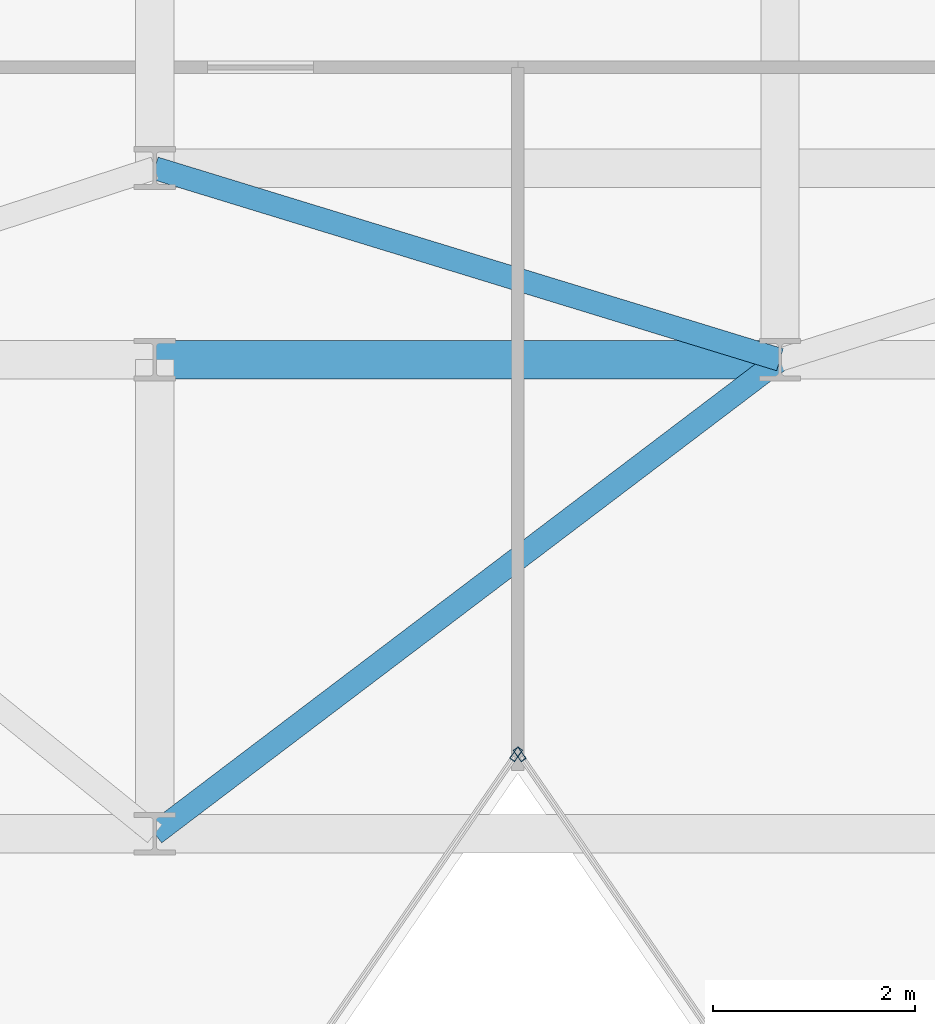
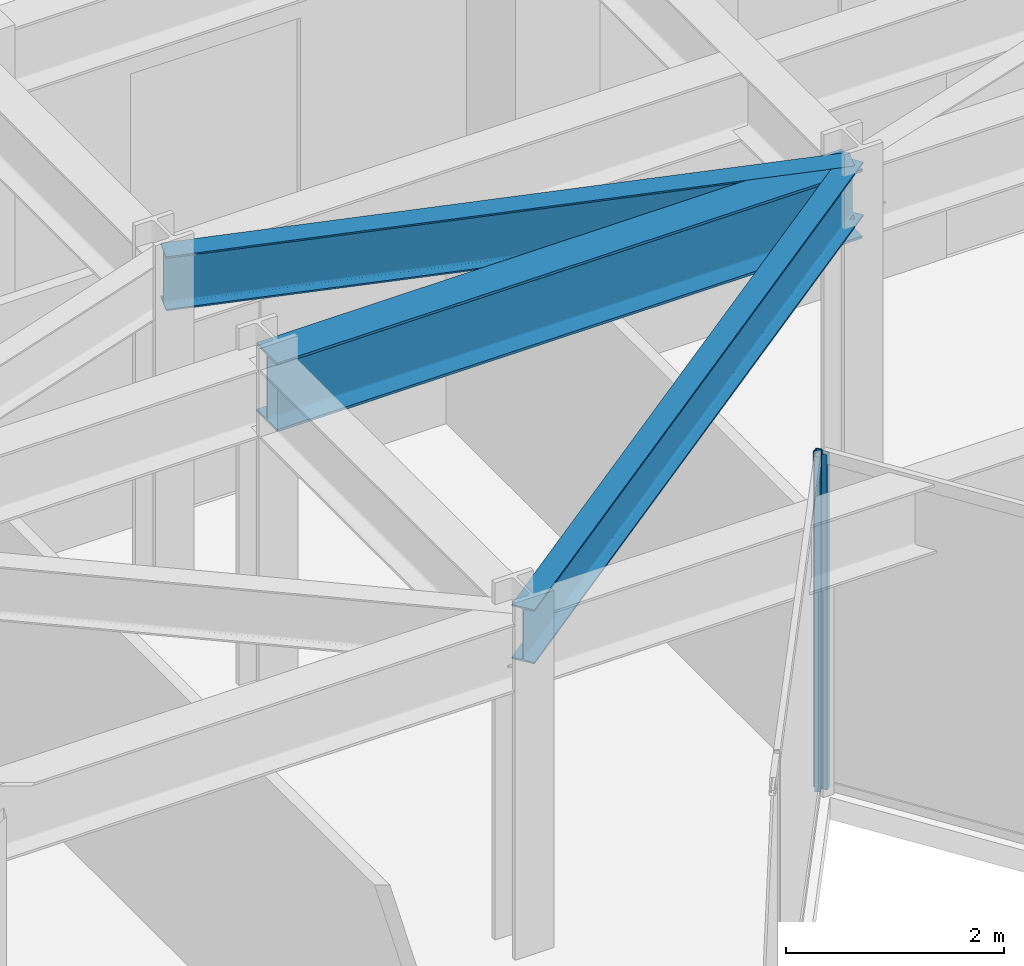
# One storey, part 8 of 21: 3 beams, 2 members, 2 elements without a shape of their own.
"""IFC4 building model written with IfcOpenShell, lengths in metres."""

from ifc_helpers import new_model, si_unit, direction, frame, origin, origin_2d, place, context, subcontext, project, spatial, hollow_rectangle, i_section, extrude, material, layer, layer_set, material_profile, profile_set, type_object, element, aggregate, save


model = new_model("IFC4")

# Units and contexts
model_context = context("Model", 3, precision=1e-05, world=origin(), true_north=direction((0.0, 1.0)))
body_context = subcontext(model_context, "Body", "Model", "MODEL_VIEW")
ifc_project = project(units=[si_unit("LENGTHUNIT", "METRE"), si_unit("AREAUNIT", "SQUARE_METRE"), si_unit("VOLUMEUNIT", "CUBIC_METRE"), si_unit("PLANEANGLEUNIT", "RADIAN"), si_unit("MASSUNIT", "GRAM", prefix="KILO")], contexts=[model_context])

# Site, building, storey
site_placement = place(None, origin())
site = spatial("IfcSite", under=ifc_project, at=site_placement, CompositionType="ELEMENT")
building_placement = place(site_placement, origin())
building = spatial("IfcBuilding", under=site, at=building_placement, Name="Kravanh Interchange Tower", CompositionType="ELEMENT")
storey_placement = place(building_placement, frame((0.0, 0.0, 168.5)))
storey = spatial("IfcBuildingStorey", under=building, at=storey_placement, Name="L40", CompositionType="ELEMENT", Elevation=168.5)

# Curtain wall, member
ifc_material_1 = material(Name="Anodised Bronze Aluminium", Category="aluminium")
ifc_layer = layer(ifc_material_1, 0.179931640625)
ifc_layer_set = layer_set([ifc_layer], Name="Unitised Curtain Wall System CW-Z3 Upper Office")
curtain_wall_type = type_object("IfcCurtainWallType", Name="Unitised Curtain Wall System CW-Z3 Upper Office", PredefinedType="NOTDEFINED", material=ifc_layer_set)
curtain_wall_1_placement = place(storey_placement, origin())
curtain_wall_1 = element("IfcCurtainWall", 1, at=curtain_wall_1_placement, inside=storey, type_object=curtain_wall_type, Name="L40 Unitised Curtain Wall CW-L40-03", PredefinedType="NOTDEFINED")
ifc_material_2 = material(Name="Anodised Bronze Aluminium", Category="aluminium")
ifc_material_profile_1 = material_profile(ifc_material_2, hollow_rectangle(XDim=0.06005859375, YDim=0.139892578125, WallThickness=0.00390625, at=origin_2d()), Name="ALU60X140X4")
ifc_profile_set_1 = profile_set([ifc_material_profile_1], Name="Anodised Bronze Aluminium")
member_type = type_object("IfcMemberType", Name="Curtain Wall Mullion ALU60X140X4 Bronze", PredefinedType="MULLION", material=ifc_profile_set_1)
member_1_placement = place(storey_placement, frame((42.217041015625, 27.587158203125, 0.0), z_axis=(0.0, 0.0, 1.0), x_axis=(-0.824042223035, -0.566528388217, 0.0)))
member_1 = element("IfcMember", 2, at=member_1_placement, type_object=member_type, Name="CW-Z3 mullion 5", PredefinedType="MULLION", context=body_context, shape_type="SweptSolid", body=[
    extrude(hollow_rectangle(XDim=0.06005859375, YDim=0.139892578125, WallThickness=0.00390625, at=origin_2d()), origin(), (0.0, 0.0, 1.0), 3.7548828125),
])
aggregate(curtain_wall_1, [member_1])

curtain_wall_2_placement = place(storey_placement, origin())
curtain_wall_2 = element("IfcCurtainWall", 3, at=curtain_wall_2_placement, inside=storey, type_object=curtain_wall_type, Name="L40 Unitised Curtain Wall CW-L40-04", PredefinedType="NOTDEFINED")
member_2_placement = place(storey_placement, frame((42.18310546875, 27.587158203125, 0.0), z_axis=(0.0, 0.0, 1.0), x_axis=(0.824042223035, -0.566528388217, 0.0)))
member_2 = element("IfcMember", 4, at=member_2_placement, type_object=member_type, Name="CW-Z3 mullion 1", PredefinedType="MULLION", context=body_context, shape_type="SweptSolid", body=[
    extrude(hollow_rectangle(XDim=0.06005859375, YDim=0.139892578125, WallThickness=0.00390625, at=origin_2d()), origin(), (0.0, 0.0, 1.0), 3.7548828125),
])
aggregate(curtain_wall_2, [member_2])

# Beams
ifc_material_3 = material(Name="Structural Steel S355", Category="steel")
ifc_material_profile_2 = material_profile(ifc_material_3, i_section(OverallWidth=0.381103515625, OverallDepth=0.77294921875, WebThickness=0.0166015625, FlangeThickness=0.027099609375, FilletRadius=0.02490234375, at=origin_2d()), Name="W30X173")
ifc_profile_set_2 = profile_set([ifc_material_profile_2], Name="Structural Steel S355")
beam_type_1 = type_object("IfcBeamType", Name="Floor Beam W30X173 Structural Steel S355", PredefinedType="BEAM", material=ifc_profile_set_2)
beam_1_placement = place(storey_placement, frame((38.60009765625, 31.5, 3.368408203125), z_axis=(1.0, 0.0, 0.0), x_axis=(0.0, 1.0, 0.0)))
element("IfcBeam", 5, at=beam_1_placement, inside=storey, type_object=beam_type_1, Name="L40 Primary Floor Girder 72", PredefinedType="BEAM", context=body_context, shape_type="SweptSolid", body=[
    extrude(i_section(OverallWidth=0.381103515625, OverallDepth=0.77294921875, WebThickness=0.0166015625, FlangeThickness=0.027099609375, FilletRadius=0.02490234375, at=origin_2d()), origin(), (0.0, 0.0, 1.0), 6.199951171875),
])
ifc_material_4 = material(Name="Structural Steel S355", Category="steel")
ifc_material_profile_3 = material_profile(ifc_material_4, i_section(OverallWidth=0.22802734375, OverallDepth=0.60791015625, WebThickness=0.01123046875, FlangeThickness=0.017333984375, FilletRadius=0.02197265625, at=origin_2d()), Name="W24X76")
ifc_profile_set_3 = profile_set([ifc_material_profile_3], Name="Structural Steel S355")
beam_type_2 = type_object("IfcBeamType", Name="Floor Spandrel W24X76 Structural Steel S355", PredefinedType="SPANDREL", material=ifc_profile_set_3)
beam_2_placement = place(storey_placement, frame((38.60009765625, 26.800048828125, 3.450927734375), z_axis=(0.796905365509, 0.604104161898, 0.0), x_axis=(-0.604104161898, 0.796905365509, 0.0)))
element("IfcBeam", 6, at=beam_2_placement, inside=storey, type_object=beam_type_2, Name="L40 Perimeter Spandrel 47", PredefinedType="SPANDREL", context=body_context, shape_type="SweptSolid", body=[
    extrude(i_section(OverallWidth=0.22802734375, OverallDepth=0.60791015625, WebThickness=0.01123046875, FlangeThickness=0.017333984375, FilletRadius=0.02197265625, at=origin_2d()), origin(), (0.0, 0.0, 1.0), 7.780029296875),
])
beam_3_placement = place(storey_placement, frame((44.800048828125, 31.5, 3.450927734375), z_axis=(-0.956115397264, 0.292990353279, 0.0), x_axis=(-0.292990353279, -0.956115397264, 0.0)))
element("IfcBeam", 7, at=beam_3_placement, inside=storey, type_object=beam_type_2, Name="L40 Perimeter Spandrel 76", PredefinedType="SPANDREL", context=body_context, shape_type="SweptSolid", body=[
    extrude(i_section(OverallWidth=0.22802734375, OverallDepth=0.60791015625, WebThickness=0.01123046875, FlangeThickness=0.017333984375, FilletRadius=0.02197265625, at=origin_2d()), origin(), (0.0, 0.0, 1.0), 6.484619140625),
])

save(model, "model.ifc")
